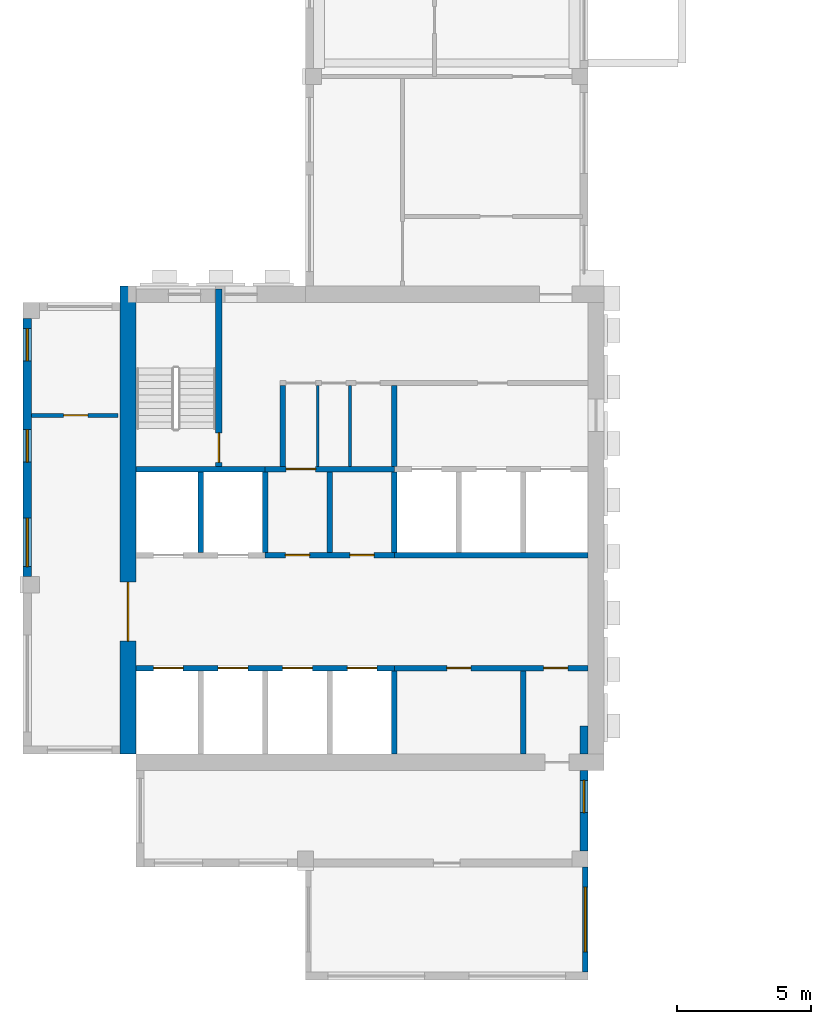
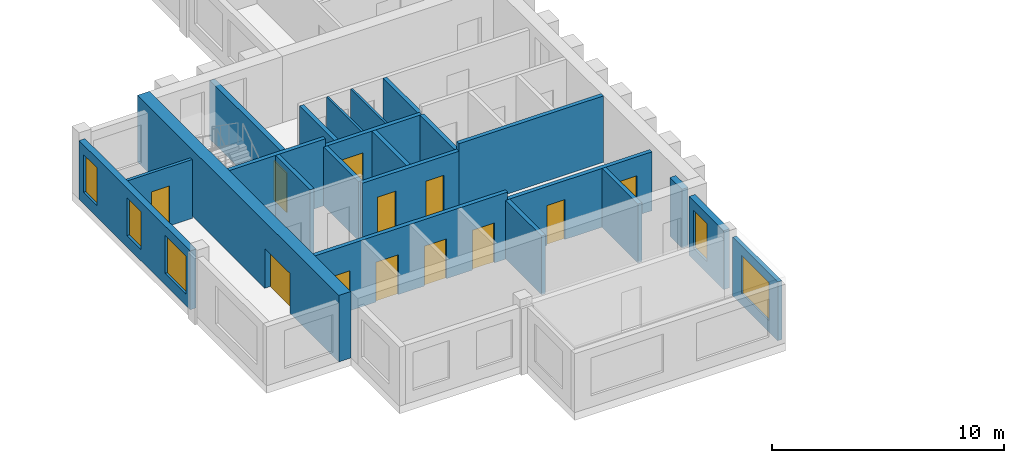
# One storey, part 2 of 7: 23 walls, 12 doors, 5 windows, 17 openings.
"""IFC4 building model written with IfcOpenShell, lengths in metres."""

from ifc_helpers import new_model, si_unit, direction, frame, frame_2d, origin, place, context, subcontext, project, spatial, rectangle, extrude, source, transform, mapped, material, layer, layer_set, type_object, element, fill, save


model = new_model("IFC4")

# Units and contexts
model_context = context("Model", 3, precision=1e-05, world=origin(), true_north=direction((0.0, 1.0)))
body_context = subcontext(model_context, "Body", "Model", "MODEL_VIEW")
ifc_project = project(units=[si_unit("LENGTHUNIT", "METRE"), si_unit("AREAUNIT", "SQUARE_METRE"), si_unit("VOLUMEUNIT", "CUBIC_METRE"), si_unit("PLANEANGLEUNIT", "RADIAN"), si_unit("MASSUNIT", "GRAM", prefix="KILO")], contexts=[model_context])

# Site, building, storey
site_placement = place(None, origin())
site = spatial("IfcSite", under=ifc_project, at=site_placement, CompositionType="ELEMENT")
building_placement = place(site_placement, origin())
building = spatial("IfcBuilding", under=site, at=building_placement, Name="Aurelian Terraces", CompositionType="ELEMENT")
storey_placement = place(building_placement, frame((0.0, 0.0, 337.0)))
storey = spatial("IfcBuildingStorey", under=building, at=storey_placement, Name="L79", CompositionType="ELEMENT", Elevation=337.0)

# Wall, opening, door
ifc_material_1 = material(Name="Concrete fc' 55 MPa", Category="concrete")
ifc_layer_1 = layer(ifc_material_1, 0.6)
ifc_layer_set_1 = layer_set([ifc_layer_1], Name="CORE WALL 600 FC55")
wall_type_1 = type_object("IfcWallType", Name="CORE WALL 600 FC55", PredefinedType="SHEAR", material=ifc_layer_set_1)
shared_shape_1 = source(origin(), body_context, "Body", "SweptSolid", [
    extrude(rectangle(XDim=17.4, YDim=0.6, at=frame_2d((8.7, 0.0))), origin(), (0.0, 0.0, 1.0), 3.5),
])
wall_1_placement = place(storey_placement, frame((3.9, 4.2, 0.0), z_axis=(0.0, 0.0, 1.0), x_axis=(0.0, 1.0, 0.0)))
wall_1 = element("IfcWall", 1, at=wall_1_placement, inside=storey, type_object=wall_type_1, Name="Core wall W L79", PredefinedType="SHEAR", context=body_context, shape_type="MappedRepresentation", body=[
    mapped(shared_shape_1, transform((0.0, 0.0, 0.0), scale=1.0)),
])
shared_shape_2 = source(origin(), body_context, "Body", "SweptSolid", [
    extrude(rectangle(XDim=2.2, YDim=2.1, at=frame_2d((1.1, 1.05))), frame((0.0, 0.31, 0.0), z_axis=(0.0, -1.0, 0.0), x_axis=(1.0, 0.0, 0.0)), (0.0, 0.0, 1.0), 0.62),
])
opening_1_placement = place(wall_1_placement, frame((4.2, 0.0, 0.0)))
opening_1 = element("IfcOpeningElement", 2, at=opening_1_placement, cuts=wall_1, Name="Opening 68223", PredefinedType="OPENING", context=body_context, shape_type="MappedRepresentation", body=[
    mapped(shared_shape_2, transform((0.0, 0.0, 0.0), scale=1.0)),
])
ifc_material_2 = material(Name="Steel door leaf", Category="steel")
door_type_1 = type_object("IfcDoorType", Name="Core double door 2200x2100", OperationType="DOUBLE_DOOR_SINGLE_SWING", PredefinedType="DOOR", material=ifc_material_2)
shared_shape_3 = source(origin(), body_context, "Body", "SweptSolid", [
    extrude(rectangle(XDim=2.2, YDim=2.1, at=frame_2d((1.1, 1.05))), frame((0.0, 0.025, 0.0), z_axis=(0.0, -1.0, 0.0), x_axis=(1.0, 0.0, 0.0)), (0.0, 0.0, 1.0), 0.05),
])
door_1_placement = place(opening_1_placement, origin())
door_1 = element("IfcDoor", 3, at=door_1_placement, inside=storey, type_object=door_type_1, Name="Core door 68223", OperationType="DOUBLE_DOOR_SINGLE_SWING", OverallHeight=2.1, OverallWidth=2.2, PredefinedType="DOOR", context=body_context, shape_type="MappedRepresentation", body=[
    mapped(shared_shape_3, transform((0.0, 0.0, 0.0), scale=1.0)),
])
fill(opening_1, door_1)

# Wall, opening, window
ifc_material_3 = material(Name="Concrete fc' 40 MPa", Category="concrete")
ifc_layer_2 = layer(ifc_material_3, 0.2)
ifc_layer_set_2 = layer_set([ifc_layer_2], Name="BOX BEARING WALL 200")
wall_type_2 = type_object("IfcWallType", Name="BOX BEARING WALL 200", PredefinedType="SOLIDWALL", material=ifc_layer_set_2)
shared_shape_4 = source(origin(), body_context, "Body", "SweptSolid", [
    extrude(rectangle(XDim=3.9, YDim=0.2, at=frame_2d((1.95, 0.0))), origin(), (0.0, 0.0, 1.0), 3.1),
])
wall_2_placement = place(storey_placement, frame((20.9, 0.0, 0.0), z_axis=(0.0, 0.0, 1.0), x_axis=(0.0, -1.0, 0.0)))
wall_2 = element("IfcWall", 4, at=wall_2_placement, inside=storey, type_object=wall_type_2, Name="Box return L79 J93.2", PredefinedType="SOLIDWALL", context=body_context, shape_type="MappedRepresentation", body=[
    mapped(shared_shape_4, transform((0.0, 0.0, 0.0), scale=1.0)),
])
shared_shape_5 = source(origin(), body_context, "Body", "SweptSolid", [
    extrude(rectangle(XDim=2.4, YDim=2.0, at=frame_2d((1.2, 1.0))), frame((0.0, 0.11, 0.0), z_axis=(0.0, -1.0, 0.0), x_axis=(1.0, 0.0, 0.0)), (0.0, 0.0, 1.0), 0.22),
])
opening_2_placement = place(wall_2_placement, frame((0.75, 0.0, 0.6)))
opening_2 = element("IfcOpeningElement", 5, at=opening_2_placement, cuts=wall_2, Name="Opening W2420", PredefinedType="OPENING", context=body_context, shape_type="MappedRepresentation", body=[
    mapped(shared_shape_5, transform((0.0, 0.0, 0.0), scale=1.0)),
])
ifc_material_4 = material(Name="Clear glazing", Category="glass")
window_type_1 = type_object("IfcWindowType", Name="W-2400x2000", PartitioningType="SINGLE_PANEL", PredefinedType="WINDOW", material=ifc_material_4)
shared_shape_6 = source(origin(), body_context, "Body", "SweptSolid", [
    extrude(rectangle(XDim=2.4, YDim=2.0, at=frame_2d((1.2, 1.0))), frame((0.0, 0.03, 0.0), z_axis=(0.0, -1.0, 0.0), x_axis=(1.0, 0.0, 0.0)), (0.0, 0.0, 1.0), 0.06),
])
window_1_placement = place(opening_2_placement, origin())
window_1 = element("IfcWindow", 6, at=window_1_placement, inside=storey, type_object=window_type_1, Name="Window L79 J93-S2", OverallHeight=2.0, OverallWidth=2.4, PartitioningType="SINGLE_PANEL", PredefinedType="WINDOW", context=body_context, shape_type="MappedRepresentation", body=[
    mapped(shared_shape_6, transform((0.0, 0.0, 0.0), scale=1.0)),
])
fill(opening_2, window_1)

# Wall
ifc_material_5 = material(Name="Terracotta rainscreen cladding", Category="masonry")
ifc_layer_3 = layer(ifc_material_5, 0.3)
ifc_layer_set_3 = layer_set([ifc_layer_3], Name="EW-300")
wall_type_3 = type_object("IfcWallType", Name="EW-300", PredefinedType="STANDARD", material=ifc_layer_set_3)
shared_shape_7 = source(origin(), body_context, "Body", "SweptSolid", [
    extrude(rectangle(XDim=1.05, YDim=0.3, at=frame_2d((0.525, 0.0))), origin(), (0.0, 0.0, 1.0), 3.1),
])
wall_3_placement = place(storey_placement, frame((20.85, 4.2, 0.0), z_axis=(0.0, 0.0, 1.0), x_axis=(0.0, 1.0, 0.0)))
element("IfcWall", 7, at=wall_3_placement, inside=storey, type_object=wall_type_3, Name="External wall L79 F02.3", PredefinedType="STANDARD", context=body_context, shape_type="MappedRepresentation", body=[
    mapped(shared_shape_7, transform((0.0, 0.0, 0.0), scale=1.0)),
])

# Wall, opening, window
shared_shape_8 = source(origin(), body_context, "Body", "SweptSolid", [
    extrude(rectangle(XDim=3.0, YDim=0.3, at=frame_2d((1.5, 0.0))), origin(), (0.0, 0.0, 1.0), 3.1),
])
wall_4_placement = place(storey_placement, frame((20.85, 0.6, 0.0), z_axis=(0.0, 0.0, 1.0), x_axis=(0.0, 1.0, 0.0)))
wall_4 = element("IfcWall", 8, at=wall_4_placement, inside=storey, type_object=wall_type_3, Name="External wall L79 F02.3", PredefinedType="STANDARD", context=body_context, shape_type="MappedRepresentation", body=[
    mapped(shared_shape_8, transform((0.0, 0.0, 0.0), scale=1.0)),
])
shared_shape_9 = source(origin(), body_context, "Body", "SweptSolid", [
    extrude(rectangle(XDim=1.2, YDim=2.0, at=frame_2d((0.6, 1.0))), frame((0.0, 0.16, 0.0), z_axis=(0.0, -1.0, 0.0), x_axis=(1.0, 0.0, 0.0)), (0.0, 0.0, 1.0), 0.32),
])
opening_3_placement = place(wall_4_placement, frame((1.425, 0.0, 0.6)))
opening_3 = element("IfcOpeningElement", 9, at=opening_3_placement, cuts=wall_4, Name="Opening W1220", PredefinedType="OPENING", context=body_context, shape_type="MappedRepresentation", body=[
    mapped(shared_shape_9, transform((0.0, 0.0, 0.0), scale=1.0)),
])
window_type_2 = type_object("IfcWindowType", Name="W-1200x2000", PartitioningType="SINGLE_PANEL", PredefinedType="WINDOW", material=ifc_material_4)
shared_shape_10 = source(origin(), body_context, "Body", "SweptSolid", [
    extrude(rectangle(XDim=1.2, YDim=2.0, at=frame_2d((0.6, 1.0))), frame((0.0, 0.03, 0.0), z_axis=(0.0, -1.0, 0.0), x_axis=(1.0, 0.0, 0.0)), (0.0, 0.0, 1.0), 0.06),
])
window_2_placement = place(opening_3_placement, origin())
window_2 = element("IfcWindow", 10, at=window_2_placement, inside=storey, type_object=window_type_2, Name="Window L79 L79-F02-03-0", OverallHeight=2.0, OverallWidth=1.2, PartitioningType="SINGLE_PANEL", PredefinedType="WINDOW", context=body_context, shape_type="MappedRepresentation", body=[
    mapped(shared_shape_10, transform((0.0, 0.0, 0.0), scale=1.0)),
])
fill(opening_3, window_2)

# Wall, openings, windows
shared_shape_11 = source(origin(), body_context, "Body", "SweptSolid", [
    extrude(rectangle(XDim=9.6, YDim=0.3, at=frame_2d((4.8, 0.0))), origin(), (0.0, 0.0, 1.0), 3.1),
])
wall_5_placement = place(storey_placement, frame((0.15, 20.4, 0.0), z_axis=(0.0, 0.0, 1.0), x_axis=(0.0, -1.0, 0.0)))
wall_5 = element("IfcWall", 11, at=wall_5_placement, inside=storey, type_object=wall_type_3, Name="External wall L79 F10.16", PredefinedType="STANDARD", context=body_context, shape_type="MappedRepresentation", body=[
    mapped(shared_shape_11, transform((0.0, 0.0, 0.0), scale=1.0)),
])
opening_4_placement = place(wall_5_placement, frame((0.375, 0.0, 0.6)))
opening_4 = element("IfcOpeningElement", 12, at=opening_4_placement, cuts=wall_5, Name="Opening W1220", PredefinedType="OPENING", context=body_context, shape_type="MappedRepresentation", body=[
    mapped(shared_shape_9, transform((0.0, 0.0, 0.0), scale=1.0)),
])
shared_shape_12 = source(origin(), body_context, "Body", "SweptSolid", [
    extrude(rectangle(XDim=1.8, YDim=2.0, at=frame_2d((0.9, 1.0))), frame((0.0, 0.16, 0.0), z_axis=(0.0, -1.0, 0.0), x_axis=(1.0, 0.0, 0.0)), (0.0, 0.0, 1.0), 0.32),
])
opening_5_placement = place(wall_5_placement, frame((7.425, 0.0, 0.6)))
opening_5 = element("IfcOpeningElement", 13, at=opening_5_placement, cuts=wall_5, Name="Opening W1820", PredefinedType="OPENING", context=body_context, shape_type="MappedRepresentation", body=[
    mapped(shared_shape_12, transform((0.0, 0.0, 0.0), scale=1.0)),
])
opening_6_placement = place(wall_5_placement, frame((4.1375, 0.0, 0.6)))
opening_6 = element("IfcOpeningElement", 14, at=opening_6_placement, cuts=wall_5, Name="Opening W1220", PredefinedType="OPENING", context=body_context, shape_type="MappedRepresentation", body=[
    mapped(shared_shape_9, transform((0.0, 0.0, 0.0), scale=1.0)),
])
window_3_placement = place(opening_4_placement, origin())
window_3 = element("IfcWindow", 15, at=window_3_placement, inside=storey, type_object=window_type_2, Name="Window L79 L79-F10-16-0", OverallHeight=2.0, OverallWidth=1.2, PartitioningType="SINGLE_PANEL", PredefinedType="WINDOW", context=body_context, shape_type="MappedRepresentation", body=[
    mapped(shared_shape_10, transform((0.0, 0.0, 0.0), scale=1.0)),
])
fill(opening_4, window_3)
window_4_placement = place(opening_6_placement, origin())
window_4 = element("IfcWindow", 16, at=window_4_placement, inside=storey, type_object=window_type_2, Name="Window L79 L79-F10-16-G0-22", OverallHeight=2.0, OverallWidth=1.2, PartitioningType="SINGLE_PANEL", PredefinedType="WINDOW", context=body_context, shape_type="MappedRepresentation", body=[
    mapped(shared_shape_10, transform((0.0, 0.0, 0.0), scale=1.0)),
])
fill(opening_6, window_4)
window_type_3 = type_object("IfcWindowType", Name="W-1800x2000", PartitioningType="SINGLE_PANEL", PredefinedType="WINDOW", material=ifc_material_4)
shared_shape_13 = source(origin(), body_context, "Body", "SweptSolid", [
    extrude(rectangle(XDim=1.8, YDim=2.0, at=frame_2d((0.9, 1.0))), frame((0.0, 0.03, 0.0), z_axis=(0.0, -1.0, 0.0), x_axis=(1.0, 0.0, 0.0)), (0.0, 0.0, 1.0), 0.06),
])
window_5_placement = place(opening_5_placement, origin())
window_5 = element("IfcWindow", 17, at=window_5_placement, inside=storey, type_object=window_type_3, Name="Window L79 L79-F10-16-2", OverallHeight=2.0, OverallWidth=1.8, PartitioningType="SINGLE_PANEL", PredefinedType="WINDOW", context=body_context, shape_type="MappedRepresentation", body=[
    mapped(shared_shape_13, transform((0.0, 0.0, 0.0), scale=1.0)),
])
fill(opening_5, window_5)

# Walls
ifc_layer_4 = layer(ifc_material_3, 0.2)
ifc_layer_set_4 = layer_set([ifc_layer_4], Name="Lift shaft wall 200")
wall_type_4 = type_object("IfcWallType", Name="Lift shaft wall 200", PredefinedType="SOLIDWALL", material=ifc_layer_set_4)
shared_shape_14 = source(origin(), body_context, "Body", "SweptSolid", [
    extrude(rectangle(XDim=3.1, YDim=0.2, at=frame_2d((1.55, 0.0))), origin(), (0.0, 0.0, 1.0), 3.1),
])
wall_6_placement = place(storey_placement, frame((13.8, 4.2, 0.0), z_axis=(0.0, 0.0, 1.0), x_axis=(0.0, 1.0, 0.0)))
element("IfcWall", 18, at=wall_6_placement, inside=storey, type_object=wall_type_4, Name="L79 core wall CD-A4", PredefinedType="SOLIDWALL", context=body_context, shape_type="MappedRepresentation", body=[
    mapped(shared_shape_14, transform((0.0, 0.0, 0.0), scale=1.0)),
])
shared_shape_15 = source(origin(), body_context, "Body", "SweptSolid", [
    extrude(rectangle(XDim=3.0, YDim=0.2, at=frame_2d((1.5, 0.0))), origin(), (0.0, 0.0, 1.0), 3.1),
])
for number, where, z_axis, x_axis, name in (
    (19, (9.0, 11.7, 0.0), (0.0, 0.0, 1.0), (0.0, 1.0, 0.0), "L79 core wall CD-B2"),
    (20, (13.8, 11.7, 0.0), (0.0, 0.0, 1.0), (0.0, 1.0, 0.0), "L79 core wall CD-B4"),
):
    element("IfcWall", number, at=place(storey_placement, frame(where, z_axis=z_axis, x_axis=x_axis)), inside=storey, type_object=wall_type_4, Name=name, PredefinedType="SOLIDWALL", context=body_context, shape_type="MappedRepresentation", body=[
        mapped(shared_shape_15, transform((0.0, 0.0, 0.0), scale=1.0)),
    ])
shared_shape_16 = source(origin(), body_context, "Body", "SweptSolid", [
    extrude(rectangle(XDim=3.0, YDim=0.2, at=frame_2d((1.5, 0.0))), origin(), (0.0, 0.0, 1.0), 3.5),
])
wall_7_placement = place(storey_placement, frame((6.6, 11.7, 0.0), z_axis=(0.0, 0.0, 1.0), x_axis=(0.0, 1.0, 0.0)))
element("IfcWall", 21, at=wall_7_placement, inside=storey, type_object=wall_type_4, Name="L79 core wall CD-B1", PredefinedType="SOLIDWALL", context=body_context, shape_type="MappedRepresentation", body=[
    mapped(shared_shape_16, transform((0.0, 0.0, 0.0), scale=1.0)),
])
shared_shape_17 = source(origin(), body_context, "Body", "SweptSolid", [
    extrude(rectangle(XDim=4.8, YDim=0.2, at=frame_2d((2.4, 0.0))), origin(), (0.0, 0.0, 1.0), 3.5),
])
wall_8_placement = place(storey_placement, frame((4.2, 14.8, 0.0), z_axis=(0.0, 0.0, 1.0), x_axis=(1.0, 0.0, 0.0)))
element("IfcWall", 22, at=wall_8_placement, inside=storey, type_object=wall_type_4, Name="L79 core wall CF-BB1", PredefinedType="SOLIDWALL", context=body_context, shape_type="MappedRepresentation", body=[
    mapped(shared_shape_17, transform((0.0, 0.0, 0.0), scale=1.0)),
])

# Wall, openings, doors
shared_shape_18 = source(origin(), body_context, "Body", "SweptSolid", [
    extrude(rectangle(XDim=4.8, YDim=0.2, at=frame_2d((2.4, 0.0))), origin(), (0.0, 0.0, 1.0), 3.1),
])
wall_9_placement = place(storey_placement, frame((9.0, 11.6, 0.0), z_axis=(0.0, 0.0, 1.0), x_axis=(1.0, 0.0, 0.0)))
wall_9 = element("IfcWall", 23, at=wall_9_placement, inside=storey, type_object=wall_type_4, Name="L79 core wall CF-BF2", PredefinedType="SOLIDWALL", context=body_context, shape_type="MappedRepresentation", body=[
    mapped(shared_shape_18, transform((0.0, 0.0, 0.0), scale=1.0)),
])
shared_shape_19 = source(origin(), body_context, "Body", "SweptSolid", [
    extrude(rectangle(XDim=0.9, YDim=2.1, at=frame_2d((0.45, 1.05))), frame((0.0, 0.11, 0.0), z_axis=(0.0, -1.0, 0.0), x_axis=(1.0, 0.0, 0.0)), (0.0, 0.0, 1.0), 0.22),
])
opening_7_placement = place(wall_9_placement, frame((0.75, 0.0, 0.0)))
opening_7 = element("IfcOpeningElement", 24, at=opening_7_placement, cuts=wall_9, Name="Opening 68208", PredefinedType="OPENING", context=body_context, shape_type="MappedRepresentation", body=[
    mapped(shared_shape_19, transform((0.0, 0.0, 0.0), scale=1.0)),
])
opening_8_placement = place(wall_9_placement, frame((3.15, 0.0, 0.0)))
opening_8 = element("IfcOpeningElement", 25, at=opening_8_placement, cuts=wall_9, Name="Opening 68209", PredefinedType="OPENING", context=body_context, shape_type="MappedRepresentation", body=[
    mapped(shared_shape_19, transform((0.0, 0.0, 0.0), scale=1.0)),
])
door_type_2 = type_object("IfcDoorType", Name="Core service door 900x2100", OperationType="SINGLE_SWING_LEFT", PredefinedType="DOOR", material=ifc_material_2)
shared_shape_20 = source(origin(), body_context, "Body", "SweptSolid", [
    extrude(rectangle(XDim=0.9, YDim=2.1, at=frame_2d((0.45, 1.05))), frame((0.0, 0.025, 0.0), z_axis=(0.0, -1.0, 0.0), x_axis=(1.0, 0.0, 0.0)), (0.0, 0.0, 1.0), 0.05),
])
door_2_placement = place(opening_7_placement, origin())
door_2 = element("IfcDoor", 26, at=door_2_placement, inside=storey, type_object=door_type_2, Name="Room door 68208", OperationType="SINGLE_SWING_LEFT", OverallHeight=2.1, OverallWidth=0.9, PredefinedType="DOOR", context=body_context, shape_type="MappedRepresentation", body=[
    mapped(shared_shape_20, transform((0.0, 0.0, 0.0), scale=1.0)),
])
fill(opening_7, door_2)
door_type_3 = type_object("IfcDoorType", Name="Core service door 900x2100 right", OperationType="SINGLE_SWING_RIGHT", PredefinedType="DOOR", material=ifc_material_2)
door_3_placement = place(opening_8_placement, origin())
door_3 = element("IfcDoor", 27, at=door_3_placement, inside=storey, type_object=door_type_3, Name="Room door 68209", OperationType="SINGLE_SWING_RIGHT", OverallHeight=2.1, OverallWidth=0.9, PredefinedType="DOOR", context=body_context, shape_type="MappedRepresentation", body=[
    mapped(shared_shape_20, transform((0.0, 0.0, 0.0), scale=1.0)),
])
fill(opening_8, door_3)

# Wall, opening, door
wall_10_placement = place(storey_placement, frame((9.0, 14.8, 0.0), z_axis=(0.0, 0.0, 1.0), x_axis=(1.0, 0.0, 0.0)))
wall_10 = element("IfcWall", 28, at=wall_10_placement, inside=storey, type_object=wall_type_4, Name="L79 core wall CF-BB2", PredefinedType="SOLIDWALL", context=body_context, shape_type="MappedRepresentation", body=[
    mapped(shared_shape_18, transform((0.0, 0.0, 0.0), scale=1.0)),
])
shared_shape_21 = source(origin(), body_context, "Body", "SweptSolid", [
    extrude(rectangle(XDim=1.1, YDim=2.1, at=frame_2d((0.55, 1.05))), frame((0.0, 0.11, 0.0), z_axis=(0.0, -1.0, 0.0), x_axis=(1.0, 0.0, 0.0)), (0.0, 0.0, 1.0), 0.22),
])
opening_9_placement = place(wall_10_placement, frame((0.775, 0.0, 0.0)))
opening_9 = element("IfcOpeningElement", 29, at=opening_9_placement, cuts=wall_10, Name="Opening 68210", PredefinedType="OPENING", context=body_context, shape_type="MappedRepresentation", body=[
    mapped(shared_shape_21, transform((0.0, 0.0, 0.0), scale=1.0)),
])
door_type_4 = type_object("IfcDoorType", Name="Core fire door 1100x2100", OperationType="SINGLE_SWING_LEFT", PredefinedType="DOOR", material=ifc_material_2)
shared_shape_22 = source(origin(), body_context, "Body", "SweptSolid", [
    extrude(rectangle(XDim=1.1, YDim=2.1, at=frame_2d((0.55, 1.05))), frame((0.0, 0.025, 0.0), z_axis=(0.0, -1.0, 0.0), x_axis=(1.0, 0.0, 0.0)), (0.0, 0.0, 1.0), 0.05),
])
door_4_placement = place(opening_9_placement, origin())
door_4 = element("IfcDoor", 30, at=door_4_placement, inside=storey, type_object=door_type_4, Name="Room door 68210", OperationType="SINGLE_SWING_LEFT", OverallHeight=2.1, OverallWidth=1.1, PredefinedType="DOOR", context=body_context, shape_type="MappedRepresentation", body=[
    mapped(shared_shape_22, transform((0.0, 0.0, 0.0), scale=1.0)),
])
fill(opening_9, door_4)

# Walls
shared_shape_23 = source(origin(), body_context, "Body", "SweptSolid", [
    extrude(rectangle(XDim=7.2, YDim=0.2, at=frame_2d((3.6, 0.0))), origin(), (0.0, 0.0, 1.0), 3.5),
])
wall_11_placement = place(storey_placement, frame((13.8, 11.6, 0.0), z_axis=(0.0, 0.0, 1.0), x_axis=(1.0, 0.0, 0.0)))
element("IfcWall", 31, at=wall_11_placement, inside=storey, type_object=wall_type_4, Name="L79 core wall CF-BF3", PredefinedType="SOLIDWALL", context=body_context, shape_type="MappedRepresentation", body=[
    mapped(shared_shape_23, transform((0.0, 0.0, 0.0), scale=1.0)),
])
ifc_material_6 = material(Name="Gypsum board on steel studs", Category="steel")
ifc_layer_5 = layer(ifc_material_6, 0.2)
ifc_layer_set_5 = layer_set([ifc_layer_5], Name="Core partition 200")
wall_type_5 = type_object("IfcWallType", Name="Core partition 200", PredefinedType="PARTITIONING", material=ifc_layer_set_5)
shared_shape_24 = source(origin(), body_context, "Body", "SweptSolid", [
    extrude(rectangle(XDim=3.0, YDim=0.2, at=frame_2d((1.5, 0.0))), origin(), (0.0, 0.0, 1.0), 3.1),
])
for number, where, z_axis, x_axis, name in (
    (32, (11.4, 11.7, 0.0), (0.0, 0.0, 1.0), (0.0, 1.0, 0.0), "L79 core wall CS-B3"),
    (33, (9.65, 14.9, 0.0), (0.0, 0.0, 1.0), (0.0, 1.0, 0.0), "L79 core wall CP-VEST"),
    (34, (13.8, 14.9, 0.0), (0.0, 0.0, 1.0), (0.0, 1.0, 0.0), "L79 core wall CP-FFL"),
):
    element("IfcWall", number, at=place(storey_placement, frame(where, z_axis=z_axis, x_axis=x_axis)), inside=storey, type_object=wall_type_5, Name=name, PredefinedType="PARTITIONING", context=body_context, shape_type="MappedRepresentation", body=[
        mapped(shared_shape_24, transform((0.0, 0.0, 0.0), scale=1.0)),
    ])
shared_shape_25 = source(origin(), body_context, "Body", "SweptSolid", [
    extrude(rectangle(XDim=3.1, YDim=0.2, at=frame_2d((1.55, 0.0))), origin(), (0.0, 0.0, 1.0), 3.1),
])
wall_12_placement = place(storey_placement, frame((18.6, 4.2, 0.0), z_axis=(0.0, 0.0, 1.0), x_axis=(0.0, 1.0, 0.0)))
element("IfcWall", 35, at=wall_12_placement, inside=storey, type_object=wall_type_5, Name="L79 core wall CS-A6", PredefinedType="PARTITIONING", context=body_context, shape_type="MappedRepresentation", body=[
    mapped(shared_shape_25, transform((0.0, 0.0, 0.0), scale=1.0)),
])

# Wall, openings, doors
shared_shape_26 = source(origin(), body_context, "Body", "SweptSolid", [
    extrude(rectangle(XDim=9.6, YDim=0.2, at=frame_2d((4.8, 0.0))), origin(), (0.0, 0.0, 1.0), 3.5),
])
wall_13_placement = place(storey_placement, frame((4.2, 7.4, 0.0), z_axis=(0.0, 0.0, 1.0), x_axis=(1.0, 0.0, 0.0)))
wall_13 = element("IfcWall", 36, at=wall_13_placement, inside=storey, type_object=wall_type_4, Name="L79 core wall CF-AF1", PredefinedType="SOLIDWALL", context=body_context, shape_type="MappedRepresentation", body=[
    mapped(shared_shape_26, transform((0.0, 0.0, 0.0), scale=1.0)),
])
opening_10_placement = place(wall_13_placement, frame((0.65, 0.0, 0.0)))
opening_10 = element("IfcOpeningElement", 37, at=opening_10_placement, cuts=wall_13, Name="Opening 68200", PredefinedType="OPENING", context=body_context, shape_type="MappedRepresentation", body=[
    mapped(shared_shape_21, transform((0.0, 0.0, 0.0), scale=1.0)),
])
opening_11_placement = place(wall_13_placement, frame((3.05, 0.0, 0.0)))
opening_11 = element("IfcOpeningElement", 38, at=opening_11_placement, cuts=wall_13, Name="Opening 68201", PredefinedType="OPENING", context=body_context, shape_type="MappedRepresentation", body=[
    mapped(shared_shape_21, transform((0.0, 0.0, 0.0), scale=1.0)),
])
opening_12_placement = place(wall_13_placement, frame((5.45, 0.0, 0.0)))
opening_12 = element("IfcOpeningElement", 39, at=opening_12_placement, cuts=wall_13, Name="Opening 68202", PredefinedType="OPENING", context=body_context, shape_type="MappedRepresentation", body=[
    mapped(shared_shape_21, transform((0.0, 0.0, 0.0), scale=1.0)),
])
opening_13_placement = place(wall_13_placement, frame((7.85, 0.0, 0.0)))
opening_13 = element("IfcOpeningElement", 40, at=opening_13_placement, cuts=wall_13, Name="Opening 68203", PredefinedType="OPENING", context=body_context, shape_type="MappedRepresentation", body=[
    mapped(shared_shape_21, transform((0.0, 0.0, 0.0), scale=1.0)),
])
ifc_material_7 = material(Name="Stainless steel", Category="steel")
door_type_5 = type_object("IfcDoorType", Name="Lift landing door 1100x2100", OperationType="SLIDING_TO_LEFT", PredefinedType="DOOR", material=ifc_material_7)
door_5_placement = place(opening_10_placement, origin())
door_5 = element("IfcDoor", 41, at=door_5_placement, inside=storey, type_object=door_type_5, Name="Lift landing door LH1 L79", OperationType="SLIDING_TO_LEFT", OverallHeight=2.1, OverallWidth=1.1, PredefinedType="DOOR", context=body_context, shape_type="MappedRepresentation", body=[
    mapped(shared_shape_22, transform((0.0, 0.0, 0.0), scale=1.0)),
])
fill(opening_10, door_5)
door_6_placement = place(opening_11_placement, origin())
door_6 = element("IfcDoor", 42, at=door_6_placement, inside=storey, type_object=door_type_5, Name="Lift landing door LH2 L79", OperationType="SLIDING_TO_LEFT", OverallHeight=2.1, OverallWidth=1.1, PredefinedType="DOOR", context=body_context, shape_type="MappedRepresentation", body=[
    mapped(shared_shape_22, transform((0.0, 0.0, 0.0), scale=1.0)),
])
fill(opening_11, door_6)
door_7_placement = place(opening_12_placement, origin())
door_7 = element("IfcDoor", 43, at=door_7_placement, inside=storey, type_object=door_type_5, Name="Lift landing door LH3 L79", OperationType="SLIDING_TO_LEFT", OverallHeight=2.1, OverallWidth=1.1, PredefinedType="DOOR", context=body_context, shape_type="MappedRepresentation", body=[
    mapped(shared_shape_22, transform((0.0, 0.0, 0.0), scale=1.0)),
])
fill(opening_12, door_7)
door_8_placement = place(opening_13_placement, origin())
door_8 = element("IfcDoor", 44, at=door_8_placement, inside=storey, type_object=door_type_5, Name="Lift landing door LH4 L79", OperationType="SLIDING_TO_LEFT", OverallHeight=2.1, OverallWidth=1.1, PredefinedType="DOOR", context=body_context, shape_type="MappedRepresentation", body=[
    mapped(shared_shape_22, transform((0.0, 0.0, 0.0), scale=1.0)),
])
fill(opening_13, door_8)

shared_shape_27 = source(origin(), body_context, "Body", "SweptSolid", [
    extrude(rectangle(XDim=7.2, YDim=0.2, at=frame_2d((3.6, 0.0))), origin(), (0.0, 0.0, 1.0), 3.1),
])
wall_14_placement = place(storey_placement, frame((13.8, 7.4, 0.0), z_axis=(0.0, 0.0, 1.0), x_axis=(1.0, 0.0, 0.0)))
wall_14 = element("IfcWall", 45, at=wall_14_placement, inside=storey, type_object=wall_type_4, Name="L79 core wall CF-AF2", PredefinedType="SOLIDWALL", context=body_context, shape_type="MappedRepresentation", body=[
    mapped(shared_shape_27, transform((0.0, 0.0, 0.0), scale=1.0)),
])
opening_14_placement = place(wall_14_placement, frame((1.95, 0.0, 0.0)))
opening_14 = element("IfcOpeningElement", 46, at=opening_14_placement, cuts=wall_14, Name="Opening 68204", PredefinedType="OPENING", context=body_context, shape_type="MappedRepresentation", body=[
    mapped(shared_shape_19, transform((0.0, 0.0, 0.0), scale=1.0)),
])
opening_15_placement = place(wall_14_placement, frame((5.55, 0.0, 0.0)))
opening_15 = element("IfcOpeningElement", 47, at=opening_15_placement, cuts=wall_14, Name="Opening 68205", PredefinedType="OPENING", context=body_context, shape_type="MappedRepresentation", body=[
    mapped(shared_shape_19, transform((0.0, 0.0, 0.0), scale=1.0)),
])
door_9_placement = place(opening_14_placement, origin())
door_9 = element("IfcDoor", 48, at=door_9_placement, inside=storey, type_object=door_type_2, Name="Room door 68204", OperationType="SINGLE_SWING_LEFT", OverallHeight=2.1, OverallWidth=0.9, PredefinedType="DOOR", context=body_context, shape_type="MappedRepresentation", body=[
    mapped(shared_shape_20, transform((0.0, 0.0, 0.0), scale=1.0)),
])
fill(opening_14, door_9)
door_10_placement = place(opening_15_placement, origin())
door_10 = element("IfcDoor", 49, at=door_10_placement, inside=storey, type_object=door_type_3, Name="Room door 68205", OperationType="SINGLE_SWING_RIGHT", OverallHeight=2.1, OverallWidth=0.9, PredefinedType="DOOR", context=body_context, shape_type="MappedRepresentation", body=[
    mapped(shared_shape_20, transform((0.0, 0.0, 0.0), scale=1.0)),
])
fill(opening_15, door_10)

# Wall, opening, door
ifc_layer_6 = layer(ifc_material_3, 0.25)
ifc_layer_set_6 = layer_set([ifc_layer_6], Name="Stair enclosure wall 250")
wall_type_6 = type_object("IfcWallType", Name="Stair enclosure wall 250", PredefinedType="SOLIDWALL", material=ifc_layer_set_6)
shared_shape_28 = source(origin(), body_context, "Body", "SweptSolid", [
    extrude(rectangle(XDim=6.6, YDim=0.25, at=frame_2d((3.3, 0.0))), origin(), (0.0, 0.0, 1.0), 3.1),
])
wall_15_placement = place(storey_placement, frame((7.275, 14.9, 0.0), z_axis=(0.0, 0.0, 1.0), x_axis=(0.0, 1.0, 0.0)))
wall_15 = element("IfcWall", 50, at=wall_15_placement, inside=storey, type_object=wall_type_6, Name="L79 core wall ST-S1-E", PredefinedType="SOLIDWALL", context=body_context, shape_type="MappedRepresentation", body=[
    mapped(shared_shape_28, transform((0.0, 0.0, 0.0), scale=1.0)),
])
shared_shape_29 = source(origin(), body_context, "Body", "SweptSolid", [
    extrude(rectangle(XDim=1.1, YDim=2.1, at=frame_2d((0.55, 1.05))), frame((0.0, 0.135, 0.0), z_axis=(0.0, -1.0, 0.0), x_axis=(1.0, 0.0, 0.0)), (0.0, 0.0, 1.0), 0.27),
])
opening_16_placement = place(wall_15_placement, frame((0.15, 0.0, 0.0)))
opening_16 = element("IfcOpeningElement", 51, at=opening_16_placement, cuts=wall_15, Name="Opening 68214", PredefinedType="OPENING", context=body_context, shape_type="MappedRepresentation", body=[
    mapped(shared_shape_29, transform((0.0, 0.0, 0.0), scale=1.0)),
])
door_11_placement = place(opening_16_placement, origin())
door_11 = element("IfcDoor", 52, at=door_11_placement, inside=storey, type_object=door_type_4, Name="Stair door 68214", OperationType="SINGLE_SWING_LEFT", OverallHeight=2.1, OverallWidth=1.1, PredefinedType="DOOR", context=body_context, shape_type="MappedRepresentation", body=[
    mapped(shared_shape_22, transform((0.0, 0.0, 0.0), scale=1.0)),
])
fill(opening_16, door_11)

# Walls
ifc_layer_7 = layer(ifc_material_6, 0.1)
ifc_layer_set_7 = layer_set([ifc_layer_7], Name="Core partition 100")
wall_type_7 = type_object("IfcWallType", Name="Core partition 100", PredefinedType="PARTITIONING", material=ifc_layer_set_7)
shared_shape_30 = source(origin(), body_context, "Body", "SweptSolid", [
    extrude(rectangle(XDim=3.0, YDim=0.1, at=frame_2d((1.5, 0.0))), origin(), (0.0, 0.0, 1.0), 3.1),
])
for number, where, z_axis, x_axis, name in (
    (53, (10.95, 14.9, 0.0), (0.0, 0.0, 1.0), (0.0, 1.0, 0.0), "L79 core wall CP-SV1"),
    (54, (12.15, 14.9, 0.0), (0.0, 0.0, 1.0), (0.0, 1.0, 0.0), "L79 core wall CP-SV2"),
):
    element("IfcWall", number, at=place(storey_placement, frame(where, z_axis=z_axis, x_axis=x_axis)), inside=storey, type_object=wall_type_7, Name=name, PredefinedType="PARTITIONING", context=body_context, shape_type="MappedRepresentation", body=[
        mapped(shared_shape_30, transform((0.0, 0.0, 0.0), scale=1.0)),
    ])

# Wall, opening, door
ifc_layer_8 = layer(ifc_material_6, 0.15)
ifc_layer_set_8 = layer_set([ifc_layer_8], Name="Partition 150")
wall_type_8 = type_object("IfcWallType", Name="Partition 150", PredefinedType="PARTITIONING", material=ifc_layer_set_8)
shared_shape_31 = source(origin(), body_context, "Body", "SweptSolid", [
    extrude(rectangle(XDim=3.225, YDim=0.15, at=frame_2d((1.6125, 0.0))), origin(), (0.0, 0.0, 1.0), 3.1),
])
wall_16_placement = place(storey_placement, frame((0.3, 16.8, 0.0), z_axis=(0.0, 0.0, 1.0), x_axis=(1.0, 0.0, 0.0)))
wall_16 = element("IfcWall", 55, at=wall_16_placement, inside=storey, type_object=wall_type_8, Name="Partition", PredefinedType="PARTITIONING", context=body_context, shape_type="MappedRepresentation", body=[
    mapped(shared_shape_31, transform((0.0, 0.0, 0.0), scale=1.0)),
])
shared_shape_32 = source(origin(), body_context, "Body", "SweptSolid", [
    extrude(rectangle(XDim=0.9, YDim=2.1, at=frame_2d((0.45, 1.05))), frame((0.0, 0.085, 0.0), z_axis=(0.0, -1.0, 0.0), x_axis=(1.0, 0.0, 0.0)), (0.0, 0.0, 1.0), 0.17),
])
opening_17_placement = place(wall_16_placement, frame((1.2, 0.0, 0.0)))
opening_17 = element("IfcOpeningElement", 56, at=opening_17_placement, cuts=wall_16, Name="Opening 779001", PredefinedType="OPENING", context=body_context, shape_type="MappedRepresentation", body=[
    mapped(shared_shape_32, transform((0.0, 0.0, 0.0), scale=1.0)),
])
ifc_material_8 = material(Name="Timber door leaf", Category="wood")
door_type_6 = type_object("IfcDoorType", Name="Room door 900x2100 left", OperationType="SINGLE_SWING_LEFT", PredefinedType="DOOR", material=ifc_material_8)
door_12_placement = place(opening_17_placement, origin())
door_12 = element("IfcDoor", 57, at=door_12_placement, inside=storey, type_object=door_type_6, Name="Door 779001", OperationType="SINGLE_SWING_LEFT", OverallHeight=2.1, OverallWidth=0.9, PredefinedType="DOOR", context=body_context, shape_type="MappedRepresentation", body=[
    mapped(shared_shape_20, transform((0.0, 0.0, 0.0), scale=1.0)),
])
fill(opening_17, door_12)

save(model, "model.ifc")
